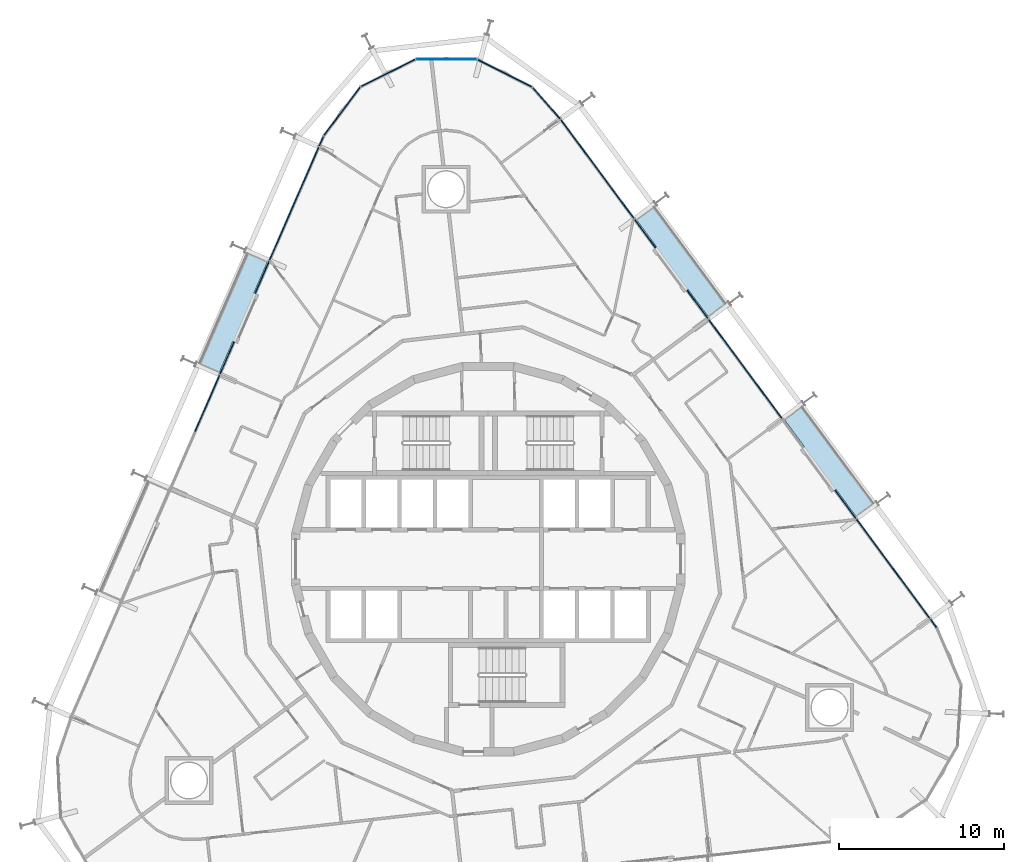
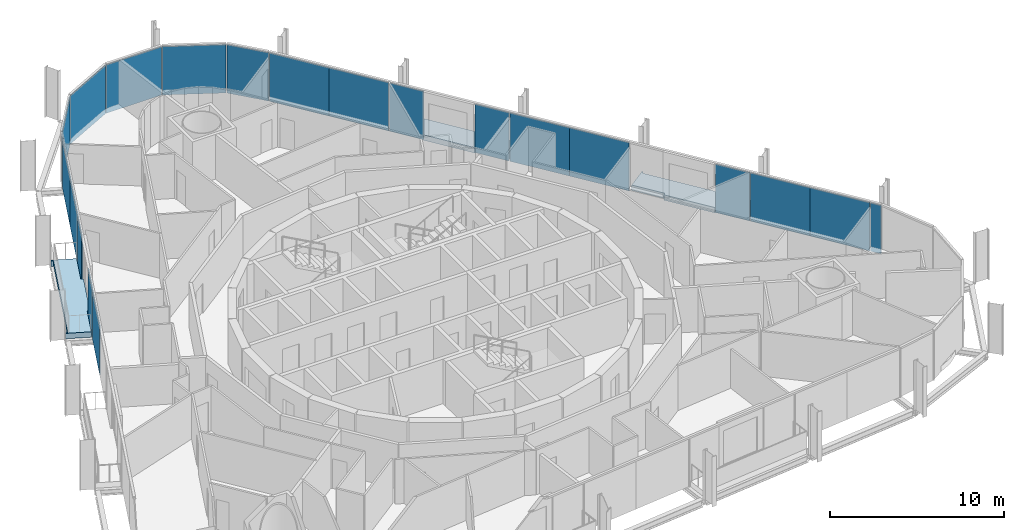
# One storey, part 15 of 23: 21 plates, 3 slabs, 4 elements without a shape of their own.
"""IFC4 building model written with IfcOpenShell, lengths in metres."""

from ifc_helpers import new_model, si_unit, direction, frame, origin, origin_2d, place, context, subcontext, project, spatial, polyline, rectangle, outline, extrude, material, layer, layer_set, type_object, element, aggregate, save


model = new_model("IFC4")

# Units and contexts
model_context = context("Model", 3, precision=1e-05, world=origin(), true_north=direction((0.0, 1.0)))
body_context = subcontext(model_context, "Body", "Model", "MODEL_VIEW")
ifc_project = project(units=[si_unit("LENGTHUNIT", "METRE"), si_unit("AREAUNIT", "SQUARE_METRE"), si_unit("VOLUMEUNIT", "CUBIC_METRE"), si_unit("PLANEANGLEUNIT", "RADIAN"), si_unit("MASSUNIT", "GRAM", prefix="KILO")], contexts=[model_context])

# Site, building, storey
site_placement = place(None, origin())
site = spatial("IfcSite", under=ifc_project, at=site_placement, CompositionType="ELEMENT")
building_placement = place(site_placement, origin())
building = spatial("IfcBuilding", under=site, at=building_placement, Name="Spindle Arch Residences", CompositionType="ELEMENT")
storey_placement = place(building_placement, frame((0.0, 0.0, 83.699951171875)))
storey = spatial("IfcBuildingStorey", under=building, at=storey_placement, Name="L19", CompositionType="ELEMENT", Elevation=83.699951171875)

# Slabs
ifc_material_1 = material(Name="Concrete C40/50", Category="concrete")
ifc_layer_1 = layer(ifc_material_1, 0.3798828125)
ifc_layer_set_1 = layer_set([ifc_layer_1], Name="Balcony slab 380")
slab_type = type_object("IfcSlabType", Name="Balcony slab 380", PredefinedType="FLOOR", material=ifc_layer_set_1)
slab_1_placement = place(storey_placement, frame((0.0, 0.0, -0.3798828125)))
element("IfcSlab", 1, at=slab_1_placement, inside=storey, type_object=slab_type, Name="Balcony L19 bay 7", PredefinedType="FLOOR", context=body_context, shape_type="SweptSolid", body=[
    extrude(outline(polyline([(23.470703125, 3.430419921875), (23.426025390625, 3.49072265625), (23.305419921875, 3.401611328125), (19.011474609375, 9.204345703125), (19.132080078125, 9.293701171875), (19.08740234375, 9.35400390625), (17.8896484375, 8.4677734375), (19.129638671875, 6.7919921875), (19.0009765625, 6.697021484375), (20.904296875, 4.12451171875), (21.032958984375, 4.2197265625), (22.27294921875, 2.544189453125), (23.470703125, 3.430419921875)])), origin(), (0.0, 0.0, 1.0), 0.3798828125),
])
slab_2_placement = place(storey_placement, frame((0.0, 0.0, -0.3798828125)))
element("IfcSlab", 2, at=slab_2_placement, inside=storey, type_object=slab_type, Name="Balcony L19 bay 9", PredefinedType="FLOOR", context=body_context, shape_type="SweptSolid", body=[
    extrude(outline(polyline([(14.52587890625, 15.5185546875), (14.481201171875, 15.578857421875), (14.360595703125, 15.48974609375), (10.066650390625, 21.29248046875), (10.187255859375, 21.3818359375), (10.142822265625, 21.442138671875), (8.945068359375, 20.5556640625), (10.184814453125, 18.880126953125), (10.05615234375, 18.78515625), (11.959716796875, 16.212646484375), (12.088134765625, 16.307861328125), (13.328125, 14.63232421875), (14.52587890625, 15.5185546875)])), origin(), (0.0, 0.0, 1.0), 0.3798828125),
])
slab_3_placement = place(storey_placement, frame((0.0, 0.0, -0.3798828125)))
element("IfcSlab", 3, at=slab_3_placement, inside=storey, type_object=slab_type, Name="Balcony L19 bay 15", PredefinedType="FLOOR", context=body_context, shape_type="SweptSolid", body=[
    extrude(outline(polyline([(-14.7060546875, 18.61083984375), (-14.736083984375, 18.5419921875), (-14.5986328125, 18.482177734375), (-17.47705078125, 11.8623046875), (-17.614501953125, 11.922119140625), (-17.64453125, 11.853271484375), (-16.278076171875, 11.259033203125), (-15.447021484375, 13.170654296875), (-15.30029296875, 13.10693359375), (-14.024169921875, 16.04150390625), (-14.1708984375, 16.105224609375), (-13.33984375, 18.016845703125), (-14.7060546875, 18.61083984375)])), origin(), (0.0, 0.0, 1.0), 0.3798828125),
])

# Curtain wall, plate
ifc_material_2 = material(Name="Aluminium bronze unitised frame with tinted glass", Category="aluminium")
ifc_layer_2 = layer(ifc_material_2, 0.159912109375)
ifc_layer_set_2 = layer_set([ifc_layer_2], Name="CW-D corner wall on the fillet arcs")
curtain_wall_type_1 = type_object("IfcCurtainWallType", Name="CW-D corner wall on the fillet arcs", PredefinedType="NOTDEFINED", material=ifc_layer_set_2)
curtain_wall_1_placement = place(storey_placement, origin())
curtain_wall_1 = element("IfcCurtainWall", 4, at=curtain_wall_1_placement, inside=storey, type_object=curtain_wall_type_1, Name="CW-D L19 run 1", PredefinedType="NOTDEFINED")
ifc_material_3 = material(Name="Tinted double glazing over aluminium faced non-combustible spandrel zone (K0)", Category="aluminium")
ifc_layer_3 = layer(ifc_material_3, 0.06005859375)
ifc_layer_set_3 = layer_set([ifc_layer_3], Name="Unitised glass panel with E 60 spandrel zone")
plate_type = type_object("IfcPlateType", Name="Unitised glass panel with E 60 spandrel zone", PredefinedType="CURTAIN_PANEL", material=ifc_layer_set_3)
plate_1_placement = place(storey_placement, frame((26.93408203125, -3.8896484375, -0.3798828125), z_axis=(0.0, 0.0, 1.0), x_axis=(-0.594822786751, 0.803856860617, 0.0)))
plate_1 = element("IfcPlate", 5, at=plate_1_placement, type_object=plate_type, Name="CW-D unit 05", PredefinedType="CURTAIN_PANEL", context=body_context, shape_type="SweptSolid", body=[
    extrude(rectangle(XDim=0.6416015625, YDim=0.06005859375, at=origin_2d()), origin(), (0.0, 0.0, 1.0), 3.3798828125),
])
aggregate(curtain_wall_1, [plate_1])

# Curtain wall, plates
ifc_material_4 = material(Name="Aluminium bronze unitised frame with tinted glass", Category="aluminium")
ifc_layer_4 = layer(ifc_material_4, 0.159912109375)
ifc_layer_set_4 = layer_set([ifc_layer_4], Name="CW-C typical residential unitised wall")
curtain_wall_type_2 = type_object("IfcCurtainWallType", Name="CW-C typical residential unitised wall", PredefinedType="NOTDEFINED", material=ifc_layer_set_4)
curtain_wall_2_placement = place(storey_placement, origin())
curtain_wall_2 = element("IfcCurtainWall", 6, at=curtain_wall_2_placement, inside=storey, type_object=curtain_wall_type_2, Name="CW-C L19 run 2", PredefinedType="NOTDEFINED")
plate_2_placement = place(storey_placement, frame((25.598388671875, -2.084716796875, -0.3798828125), z_axis=(0.0, 0.0, 1.0), x_axis=(-0.594822786751, 0.803856860617, 0.0)))
plate_2 = element("IfcPlate", 7, at=plate_2_placement, type_object=plate_type, Name="CW-C unit 05A", PredefinedType="CURTAIN_PANEL", context=body_context, shape_type="SweptSolid", body=[
    extrude(rectangle(XDim=3.7294921875, YDim=0.06005859375, at=origin_2d()), origin(), (0.0, 0.0, 1.0), 3.3798828125),
])
plate_3_placement = place(storey_placement, frame((23.380126953125, 0.913330078125, -0.3798828125), z_axis=(0.0, 0.0, 1.0), x_axis=(-0.594822786751, 0.803856860617, 0.0)))
plate_3 = element("IfcPlate", 8, at=plate_3_placement, type_object=plate_type, Name="CW-C unit 05B", PredefinedType="CURTAIN_PANEL", context=body_context, shape_type="SweptSolid", body=[
    extrude(rectangle(XDim=3.7294921875, YDim=0.06005859375, at=origin_2d()), origin(), (0.0, 0.0, 1.0), 3.3798828125),
])
plate_4_placement = place(storey_placement, frame((21.60205078125, 3.31640625, -0.3798828125), z_axis=(0.0, 0.0, 1.0), x_axis=(-0.594822786751, 0.803856860617, 0.0)))
plate_4 = element("IfcPlate", 9, at=plate_4_placement, type_object=plate_type, Name="CW-C unit 06L", PredefinedType="CURTAIN_PANEL", context=body_context, shape_type="SweptSolid", body=[
    extrude(rectangle(XDim=2.12939453125, YDim=0.06005859375, at=origin_2d()), origin(), (0.0, 0.0, 1.0), 3.3798828125),
])
plate_5_placement = place(storey_placement, frame((16.65380859375, 10.00341796875, -0.3798828125), z_axis=(0.0, 0.0, 1.0), x_axis=(-0.594822786751, 0.803856860617, 0.0)))
plate_5 = element("IfcPlate", 10, at=plate_5_placement, type_object=plate_type, Name="CW-C unit 07A", PredefinedType="CURTAIN_PANEL", context=body_context, shape_type="SweptSolid", body=[
    extrude(rectangle(XDim=3.7294921875, YDim=0.06005859375, at=origin_2d()), origin(), (0.0, 0.0, 1.0), 3.3798828125),
])
plate_6_placement = place(storey_placement, frame((14.435546875, 13.00146484375, -0.3798828125), z_axis=(0.0, 0.0, 1.0), x_axis=(-0.594822786751, 0.803856860617, 0.0)))
plate_6 = element("IfcPlate", 11, at=plate_6_placement, type_object=plate_type, Name="CW-C unit 07B", PredefinedType="CURTAIN_PANEL", context=body_context, shape_type="SweptSolid", body=[
    extrude(rectangle(XDim=3.7294921875, YDim=0.06005859375, at=origin_2d()), origin(), (0.0, 0.0, 1.0), 3.3798828125),
])
plate_7_placement = place(storey_placement, frame((12.6572265625, 15.404296875, -0.3798828125), z_axis=(0.0, 0.0, 1.0), x_axis=(-0.594822786751, 0.803856860617, 0.0)))
plate_7 = element("IfcPlate", 12, at=plate_7_placement, type_object=plate_type, Name="CW-C unit 08L", PredefinedType="CURTAIN_PANEL", context=body_context, shape_type="SweptSolid", body=[
    extrude(rectangle(XDim=2.12939453125, YDim=0.06005859375, at=origin_2d()), origin(), (0.0, 0.0, 1.0), 3.3798828125),
])
plate_8_placement = place(storey_placement, frame((9.4873046875, 19.6884765625, -0.3798828125), z_axis=(0.0, 0.0, 1.0), x_axis=(-0.594822786751, 0.803856860617, 0.0)))
plate_8 = element("IfcPlate", 13, at=plate_8_placement, type_object=plate_type, Name="CW-C unit 08R", PredefinedType="CURTAIN_PANEL", context=body_context, shape_type="SweptSolid", body=[
    extrude(rectangle(XDim=2.12939453125, YDim=0.06005859375, at=origin_2d()), origin(), (0.0, 0.0, 1.0), 3.3798828125),
])
plate_9_placement = place(storey_placement, frame((7.708984375, 22.091552734375, -0.3798828125), z_axis=(0.0, 0.0, 1.0), x_axis=(-0.594822786751, 0.803856860617, 0.0)))
plate_9 = element("IfcPlate", 14, at=plate_9_placement, type_object=plate_type, Name="CW-C unit 09A", PredefinedType="CURTAIN_PANEL", context=body_context, shape_type="SweptSolid", body=[
    extrude(rectangle(XDim=3.7294921875, YDim=0.06005859375, at=origin_2d()), origin(), (0.0, 0.0, 1.0), 3.3798828125),
])
plate_10_placement = place(storey_placement, frame((5.49072265625, 25.08935546875, -0.3798828125), z_axis=(0.0, 0.0, 1.0), x_axis=(-0.594822786751, 0.803856860617, 0.0)))
plate_10 = element("IfcPlate", 15, at=plate_10_placement, type_object=plate_type, Name="CW-C unit 09B", PredefinedType="CURTAIN_PANEL", context=body_context, shape_type="SweptSolid", body=[
    extrude(rectangle(XDim=3.7294921875, YDim=0.06005859375, at=origin_2d()), origin(), (0.0, 0.0, 1.0), 3.3798828125),
])
aggregate(curtain_wall_2, [plate_2, plate_3, plate_4, plate_5, plate_6, plate_7, plate_8, plate_9, plate_10])

curtain_wall_3_placement = place(storey_placement, origin())
curtain_wall_3 = element("IfcCurtainWall", 16, at=curtain_wall_3_placement, inside=storey, type_object=curtain_wall_type_1, Name="CW-D L19 run 3", PredefinedType="NOTDEFINED")
plate_11_placement = place(storey_placement, frame((3.513427734375, 27.57861328125, -0.3798828125), z_axis=(0.0, 0.0, 1.0), x_axis=(-0.660703891733, 0.750646632877, 0.0)))
plate_11 = element("IfcPlate", 17, at=plate_11_placement, type_object=plate_type, Name="CW-D unit 00", PredefinedType="CURTAIN_PANEL", context=body_context, shape_type="SweptSolid", body=[
    extrude(rectangle(XDim=2.51416015625, YDim=0.06005859375, at=origin_2d()), origin(), (0.0, 0.0, 1.0), 3.3798828125),
])
plate_12_placement = place(storey_placement, frame((1.000244140625, 29.385986328125, -0.3798828125), z_axis=(0.0, 0.0, 1.0), x_axis=(-0.892323355439, 0.451396753797, 0.0)))
plate_12 = element("IfcPlate", 18, at=plate_12_placement, type_object=plate_type, Name="CW-D unit 01", PredefinedType="CURTAIN_PANEL", context=body_context, shape_type="SweptSolid", body=[
    extrude(rectangle(XDim=3.666748046875, YDim=0.06005859375, at=origin_2d()), origin(), (0.0, 0.0, 1.0), 3.3798828125),
])
plate_13_placement = place(storey_placement, frame((-2.52587890625, 30.232421875, -0.3798828125), z_axis=(0.0, 0.0, 1.0), x_axis=(-0.999995769195, 0.002908881551, 0.0)))
plate_13 = element("IfcPlate", 19, at=plate_13_placement, type_object=plate_type, Name="CW-D unit 02", PredefinedType="CURTAIN_PANEL", context=body_context, shape_type="SweptSolid", body=[
    extrude(rectangle(XDim=3.666748046875, YDim=0.06005859375, at=origin_2d()), origin(), (0.0, 0.0, 1.0), 3.3798828125),
])
plate_14_placement = place(storey_placement, frame((-6.056884765625, 29.406494140625, -0.3798828125), z_axis=(0.0, 0.0, 1.0), x_axis=(-0.89493436175, -0.446197812813, 0.0)))
plate_14 = element("IfcPlate", 20, at=plate_14_placement, type_object=plate_type, Name="CW-D unit 03", PredefinedType="CURTAIN_PANEL", context=body_context, shape_type="SweptSolid", body=[
    extrude(rectangle(XDim=3.666748046875, YDim=0.06005859375, at=origin_2d()), origin(), (0.0, 0.0, 1.0), 3.3798828125),
])
plate_15_placement = place(storey_placement, frame((-8.841552734375, 27.08349609375, -0.3798828125), z_axis=(0.0, 0.0, 1.0), x_axis=(-0.599489340736, -0.800382739909, 0.0)))
plate_15 = element("IfcPlate", 21, at=plate_15_placement, type_object=plate_type, Name="CW-D unit 04", PredefinedType="CURTAIN_PANEL", context=body_context, shape_type="SweptSolid", body=[
    extrude(rectangle(XDim=3.666748046875, YDim=0.06005859375, at=origin_2d()), origin(), (0.0, 0.0, 1.0), 3.3798828125),
])
plate_16_placement = place(storey_placement, frame((-10.098388671875, 25.2705078125, -0.3798828125), z_axis=(0.0, 0.0, 1.0), x_axis=(-0.398749068925, -0.917060074385, 0.0)))
plate_16 = element("IfcPlate", 22, at=plate_16_placement, type_object=plate_type, Name="CW-D unit 05", PredefinedType="CURTAIN_PANEL", context=body_context, shape_type="SweptSolid", body=[
    extrude(rectangle(XDim=0.6416015625, YDim=0.06005859375, at=origin_2d()), origin(), (0.0, 0.0, 1.0), 3.3798828125),
])
aggregate(curtain_wall_3, [plate_11, plate_12, plate_13, plate_14, plate_15, plate_16])

curtain_wall_4_placement = place(storey_placement, origin())
curtain_wall_4 = element("IfcCurtainWall", 23, at=curtain_wall_4_placement, inside=storey, type_object=curtain_wall_type_2, Name="CW-C L19 run 4", PredefinedType="NOTDEFINED")
plate_17_placement = place(storey_placement, frame((-10.993896484375, 23.211181640625, -0.3798828125), z_axis=(0.0, 0.0, 1.0), x_axis=(-0.398749068925, -0.917060074385, 0.0)))
plate_17 = element("IfcPlate", 24, at=plate_17_placement, type_object=plate_type, Name="CW-C unit 13A", PredefinedType="CURTAIN_PANEL", context=body_context, shape_type="SweptSolid", body=[
    extrude(rectangle(XDim=3.7294921875, YDim=0.06005859375, at=origin_2d()), origin(), (0.0, 0.0, 1.0), 3.3798828125),
])
plate_18_placement = place(storey_placement, frame((-12.48095703125, 19.791259765625, -0.3798828125), z_axis=(0.0, 0.0, 1.0), x_axis=(-0.398749068925, -0.917060074385, 0.0)))
plate_18 = element("IfcPlate", 25, at=plate_18_placement, type_object=plate_type, Name="CW-C unit 13B", PredefinedType="CURTAIN_PANEL", context=body_context, shape_type="SweptSolid", body=[
    extrude(rectangle(XDim=3.7294921875, YDim=0.06005859375, at=origin_2d()), origin(), (0.0, 0.0, 1.0), 3.3798828125),
])
plate_19_placement = place(storey_placement, frame((-13.673095703125, 17.0498046875, -0.3798828125), z_axis=(0.0, 0.0, 1.0), x_axis=(-0.398749068925, -0.917060074385, 0.0)))
plate_19 = element("IfcPlate", 26, at=plate_19_placement, type_object=plate_type, Name="CW-C unit 14L", PredefinedType="CURTAIN_PANEL", context=body_context, shape_type="SweptSolid", body=[
    extrude(rectangle(XDim=2.12939453125, YDim=0.06005859375, at=origin_2d()), origin(), (0.0, 0.0, 1.0), 3.3798828125),
])
plate_20_placement = place(storey_placement, frame((-15.798095703125, 12.162353515625, -0.3798828125), z_axis=(0.0, 0.0, 1.0), x_axis=(-0.398749068925, -0.917060074385, 0.0)))
plate_20 = element("IfcPlate", 27, at=plate_20_placement, type_object=plate_type, Name="CW-C unit 14R", PredefinedType="CURTAIN_PANEL", context=body_context, shape_type="SweptSolid", body=[
    extrude(rectangle(XDim=2.12939453125, YDim=0.06005859375, at=origin_2d()), origin(), (0.0, 0.0, 1.0), 3.3798828125),
])
plate_21_placement = place(storey_placement, frame((-16.990234375, 9.4208984375, -0.3798828125), z_axis=(0.0, 0.0, 1.0), x_axis=(-0.398749068925, -0.917060074385, 0.0)))
plate_21 = element("IfcPlate", 28, at=plate_21_placement, type_object=plate_type, Name="CW-C unit 15A", PredefinedType="CURTAIN_PANEL", context=body_context, shape_type="SweptSolid", body=[
    extrude(rectangle(XDim=3.7294921875, YDim=0.06005859375, at=origin_2d()), origin(), (0.0, 0.0, 1.0), 3.3798828125),
])
aggregate(curtain_wall_4, [plate_17, plate_18, plate_19, plate_20, plate_21])

save(model, "model.ifc")
